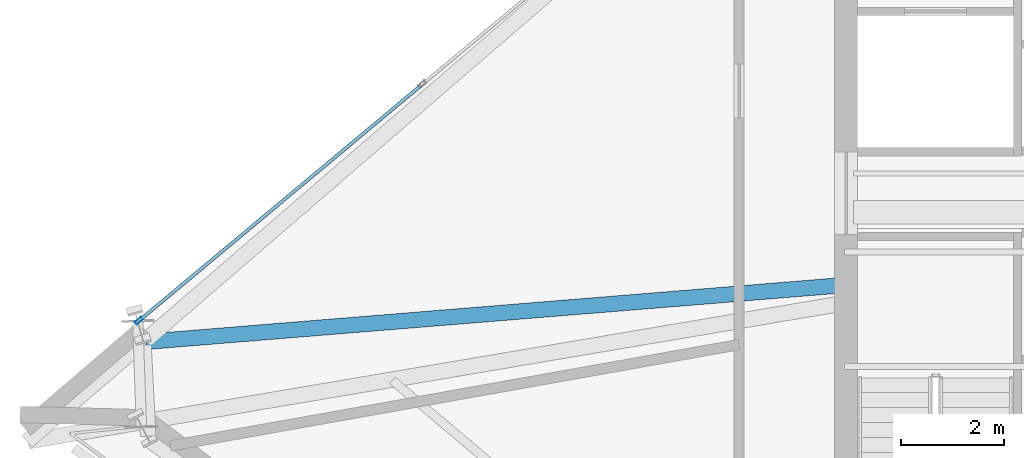
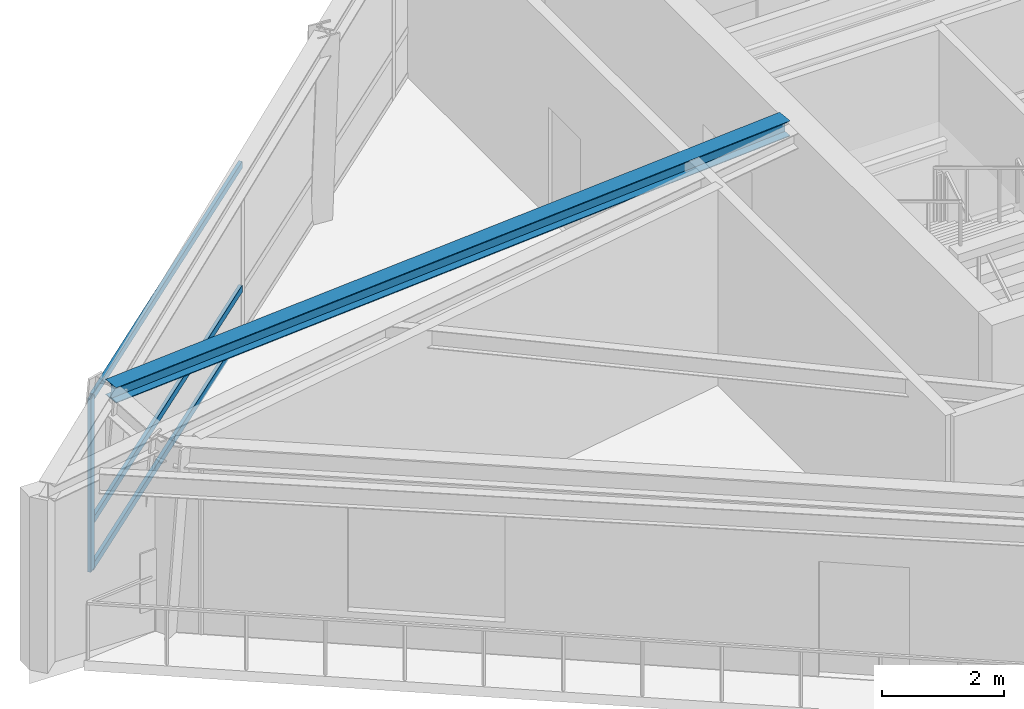
# One storey, part 6 of 21: 4 members, 1 beam, 1 element without a shape of its own.
"""IFC4 building model written with IfcOpenShell, lengths in metres."""

from ifc_helpers import new_model, si_unit, direction, frame, origin, origin_2d, place, context, subcontext, project, spatial, hollow_rectangle, i_section, extrude, source, transform, mapped, material, material_profile, profile_set, type_object, element, aggregate, save


model = new_model("IFC4")

# Units and contexts
model_context = context("Model", 3, precision=1e-05, world=origin(), true_north=direction((0.0, 1.0)))
body_context = subcontext(model_context, "Body", "Model", "MODEL_VIEW")
ifc_project = project(units=[si_unit("LENGTHUNIT", "METRE"), si_unit("AREAUNIT", "SQUARE_METRE"), si_unit("VOLUMEUNIT", "CUBIC_METRE"), si_unit("PLANEANGLEUNIT", "RADIAN"), si_unit("MASSUNIT", "GRAM", prefix="KILO")], contexts=[model_context])

# Site, building, storey
site_placement = place(None, origin())
site = spatial("IfcSite", under=ifc_project, at=site_placement, CompositionType="ELEMENT")
building_placement = place(site_placement, origin())
building = spatial("IfcBuilding", under=site, at=building_placement, Name="Olszyna Solenne Hotel", CompositionType="ELEMENT")
storey_placement = place(building_placement, frame((0.0, 0.0, 277.699951171875)))
storey = spatial("IfcBuildingStorey", under=building, at=storey_placement, Name="L74", CompositionType="ELEMENT", Elevation=277.699951171875)

# Beam
ifc_material_1 = material(Name="Steel S355J2", Category="steel")
ifc_material_profile_1 = material_profile(ifc_material_1, i_section(OverallWidth=0.300048828125, OverallDepth=0.31005859375, WebThickness=0.009033203125, FlangeThickness=0.015380859375, at=origin_2d()), Name="HEA 320", Category="load-bearing")
ifc_profile_set_1 = profile_set([ifc_material_profile_1], Name="Steel S355J2")
beam_type = type_object("IfcBeamType", Name="BM-G3", PredefinedType="BEAM", material=ifc_profile_set_1)
shared_shape_1 = source(origin(), body_context, "Body", "SweptSolid", [
    extrude(i_section(OverallWidth=0.300048828125, OverallDepth=0.31005859375, WebThickness=0.009033203125, FlangeThickness=0.015380859375, at=origin_2d()), origin(), (0.0, 0.0, 1.0), 13.430908203125),
])
beam_placement = place(storey_placement, frame((16.31298828125, 24.83740234375, 3.76513671875), z_axis=(0.996714151443, 0.080999384645, 0.0), x_axis=(-0.080999384645, 0.996714151443, 0.0)))
element("IfcBeam", 1, at=beam_placement, inside=storey, type_object=beam_type, Name="Radial floor girder BM-G3 B-L74-2181", PredefinedType="BEAM", context=body_context, shape_type="MappedRepresentation", body=[
    mapped(shared_shape_1, transform((0.0, 0.0, 0.0), x_axis=(1.0, 0.0, 0.0), y_axis=(0.0, 1.0, 0.0), z_axis=(0.0, 0.0, 1.0), scale=1.0)),
])

# Curtain wall, members
ifc_material_2 = material(Name="Anodised bronze aluminium", Category="aluminium")
curtain_wall_type = type_object("IfcCurtainWallType", Name="CW-SYS-7", PredefinedType="NOTDEFINED", material=ifc_material_2)
curtain_wall_placement = place(storey_placement, origin())
curtain_wall = element("IfcCurtainWall", 2, at=curtain_wall_placement, inside=storey, type_object=curtain_wall_type, Name="Unitised curtain wall CW-SYS-7 CW-L74-02", PredefinedType="NOTDEFINED")
ifc_material_profile_2 = material_profile(ifc_material_2, hollow_rectangle(XDim=0.06494140625, YDim=0.159912109375, WallThickness=0.00390625, at=origin_2d()), Name="MULL 160x65x4", Category="load-bearing")
ifc_profile_set_2 = profile_set([ifc_material_profile_2], Name="Anodised bronze aluminium")
member_type_1 = type_object("IfcMemberType", Name="CW-M3", PredefinedType="MULLION", material=ifc_profile_set_2)
shared_shape_2 = source(origin(), body_context, "Body", "SweptSolid", [
    extrude(hollow_rectangle(XDim=0.06494140625, YDim=0.159912109375, WallThickness=0.00390625, at=origin_2d()), origin(), (0.0, 0.0, 1.0), 3.462158203125),
])
member_1_placement = place(storey_placement, frame((16.16943359375, 25.24755859375, 0.0), z_axis=(0.0, 0.0, 1.0), x_axis=(-0.640714645601, 0.76777909773, 0.0)))
member_1 = element("IfcMember", 3, at=member_1_placement, type_object=member_type_1, Name="Curtain-wall mullion CW-M3 CM-L74-02-01", PredefinedType="MULLION", context=body_context, shape_type="MappedRepresentation", body=[
    mapped(shared_shape_2, transform((0.0, 0.0, 0.0), x_axis=(1.0, 0.0, 0.0), y_axis=(0.0, 1.0, 0.0), z_axis=(0.0, 0.0, 1.0), scale=1.0)),
])
ifc_material_profile_3 = material_profile(ifc_material_2, hollow_rectangle(XDim=0.06494140625, YDim=0.139892578125, WallThickness=0.00390625, at=origin_2d()), Name="TRAN 140x65x4", Category="load-bearing")
ifc_profile_set_3 = profile_set([ifc_material_profile_3], Name="Anodised bronze aluminium")
member_type_2 = type_object("IfcMemberType", Name="CW-T2", PredefinedType="USERDEFINED", material=ifc_profile_set_3)
shared_shape_3 = source(origin(), body_context, "Body", "SweptSolid", [
    extrude(hollow_rectangle(XDim=0.06494140625, YDim=0.139892578125, WallThickness=0.00390625, at=origin_2d()), origin(), (0.0, 0.0, 1.0), 7.08544921875),
])
member_2_placement = place(storey_placement, frame((16.1943359375, 25.2685546875, 0.032470703125), z_axis=(0.767800289089, 0.640689250788, 0.0), x_axis=(-0.640689250788, 0.767800289089, 0.0)))
member_2 = element("IfcMember", 4, at=member_2_placement, type_object=member_type_2, Name="Curtain-wall transom CW-T2 CT-L74-02-01", ObjectType="TRANSOM", PredefinedType="USERDEFINED", context=body_context, shape_type="MappedRepresentation", body=[
    mapped(shared_shape_3, transform((0.0, 0.0, 0.0), x_axis=(1.0, 0.0, 0.0), y_axis=(0.0, 1.0, 0.0), z_axis=(0.0, 0.0, 1.0), scale=1.0)),
])
member_3_placement = place(storey_placement, frame((16.1943359375, 25.2685546875, 0.949951171875), z_axis=(0.767800289089, 0.640689250788, 0.0), x_axis=(-0.640689250788, 0.767800289089, 0.0)))
member_3 = element("IfcMember", 5, at=member_3_placement, type_object=member_type_2, Name="Curtain-wall transom CW-T2 CT-L74-02-02", ObjectType="TRANSOM", PredefinedType="USERDEFINED", context=body_context, shape_type="MappedRepresentation", body=[
    mapped(shared_shape_3, transform((0.0, 0.0, 0.0), x_axis=(1.0, 0.0, 0.0), y_axis=(0.0, 1.0, 0.0), z_axis=(0.0, 0.0, 1.0), scale=1.0)),
])
member_4_placement = place(storey_placement, frame((16.1943359375, 25.2685546875, 3.429443359375), z_axis=(0.767800289089, 0.640689250788, 0.0), x_axis=(-0.640689250788, 0.767800289089, 0.0)))
member_4 = element("IfcMember", 6, at=member_4_placement, type_object=member_type_2, Name="Curtain-wall transom CW-T2 CT-L74-02-03", ObjectType="TRANSOM", PredefinedType="USERDEFINED", context=body_context, shape_type="MappedRepresentation", body=[
    mapped(shared_shape_3, transform((0.0, 0.0, 0.0), x_axis=(1.0, 0.0, 0.0), y_axis=(0.0, 1.0, 0.0), z_axis=(0.0, 0.0, 1.0), scale=1.0)),
])
aggregate(curtain_wall, [member_1, member_2, member_3, member_4])

save(model, "model.ifc")
